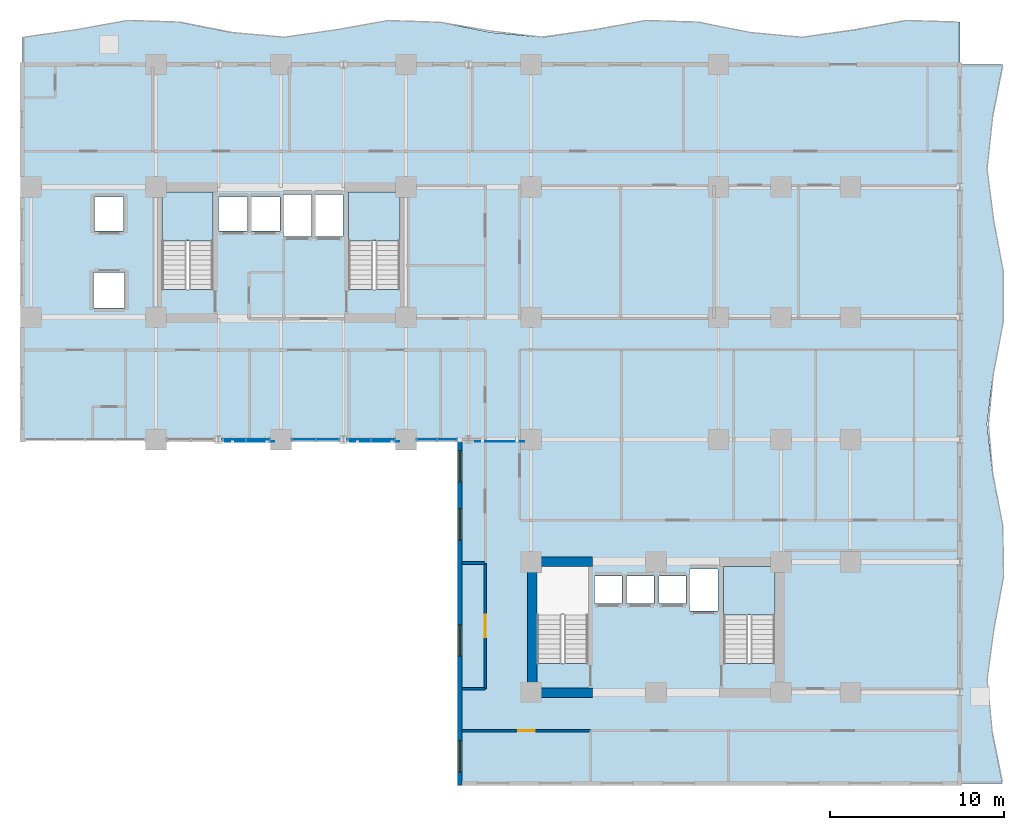
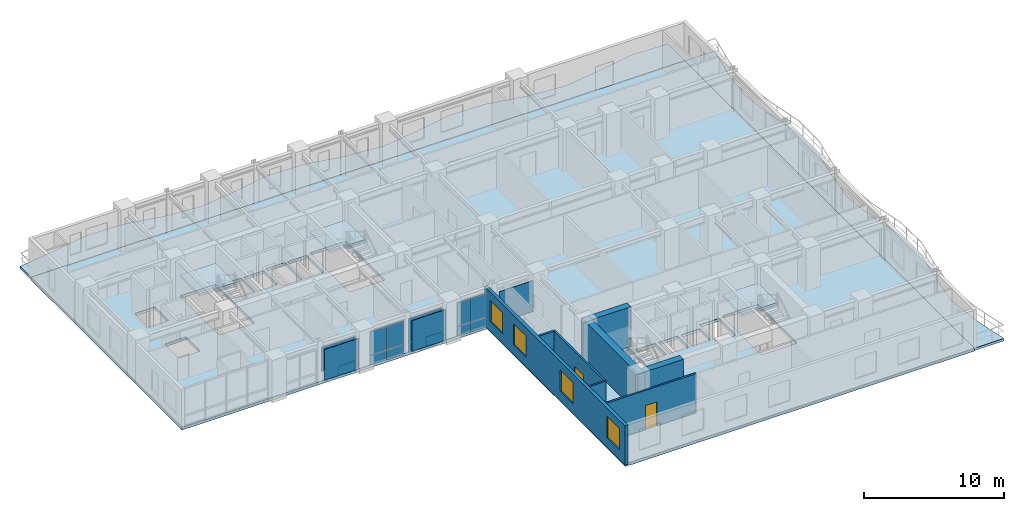
# One storey, part 7 of 16: 18 plates, 8 walls, 6 slabs, 4 windows, 2 doors, 6 openings, 7 elements without a shape of their own.
"""IFC4 building model written with IfcOpenShell, lengths in metres."""

from ifc_helpers import new_model, si_unit, direction, frame, frame_2d, origin, origin_2d, place, context, subcontext, project, spatial, polyline, rectangle, outline, extrude, source, transform, mapped, material, layer, layer_set, type_object, element, fill, aggregate, save


model = new_model("IFC4")

# Units and contexts
model_context = context("Model", 3, precision=1e-05, world=origin(), true_north=direction((0.0, 1.0)))
body_context = subcontext(model_context, "Body", "Model", "MODEL_VIEW")
ifc_project = project(units=[si_unit("LENGTHUNIT", "METRE"), si_unit("AREAUNIT", "SQUARE_METRE"), si_unit("VOLUMEUNIT", "CUBIC_METRE"), si_unit("PLANEANGLEUNIT", "RADIAN"), si_unit("MASSUNIT", "GRAM", prefix="KILO")], contexts=[model_context])

# Site, building, storey
site_placement = place(None, origin())
site = spatial("IfcSite", under=ifc_project, at=site_placement, CompositionType="ELEMENT")
building_placement = place(site_placement, origin())
building = spatial("IfcBuilding", under=site, at=building_placement, Name="Kaliganga Portal Commons", CompositionType="ELEMENT")
storey_placement = place(building_placement, frame((0.0, 0.0, 97.10009765625)))
storey = spatial("IfcBuildingStorey", under=building, at=storey_placement, Name="L24", CompositionType="ELEMENT", Elevation=97.10009765625)

# Slabs
ifc_material_1 = material(Name="Concrete C40/50", Category="concrete")
ifc_layer_1 = layer(ifc_material_1, 0.2099609375)
ifc_layer_set_1 = layer_set([ifc_layer_1], Name="Concrete C40/50")
slab_type_1 = type_object("IfcSlabType", Name="SLB-BALC-210", PredefinedType="FLOOR", material=ifc_layer_set_1)
slab_1_placement = place(storey_placement, frame((0.0, 0.0, -0.210205078125)))
element("IfcSlab", 1, at=slab_1_placement, inside=storey, type_object=slab_type_1, Name="Scalloped Tree-Planter Balcony Slab L24 balc_north", PredefinedType="FLOOR", context=body_context, shape_type="SweptSolid", body=[
    extrude(outline(polyline([(60.699951171875, 43.199951171875), (60.699951171875, 45.6484375), (57.699951171875, 45.74365234375), (54.699951171875, 45.201416015625), (51.699951171875, 44.77099609375), (48.699951171875, 45.04736328125), (45.699951171875, 45.6484375), (42.699951171875, 45.74365234375), (39.699951171875, 45.201416015625), (36.699951171875, 44.77099609375), (33.699951171875, 45.04736328125), (30.699951171875, 45.6484375), (27.699951171875, 45.74365234375), (24.699951171875, 45.201416015625), (21.699951171875, 44.77099609375), (18.699951171875, 45.04736328125), (15.699951171875, 45.6484375), (12.699951171875, 45.74365234375), (9.699951171875, 45.201416015625), (6.699951171875, 44.77099609375), (6.699951171875, 43.199951171875), (60.699951171875, 43.199951171875)])), origin(), (0.0, 0.0, 1.0), 0.210205078125),
])
slab_2_placement = place(storey_placement, frame((0.0, 0.0, -0.210205078125)))
element("IfcSlab", 2, at=slab_2_placement, inside=storey, type_object=slab_type_1, Name="Scalloped Tree-Planter Balcony Slab L24 balc_east", PredefinedType="FLOOR", context=body_context, shape_type="SweptSolid", body=[
    extrude(outline(polyline([(60.699951171875, 1.800048828125), (63.1484375, 1.800048828125), (62.5556640625, 4.757080078125), (62.2685546875, 7.71435546875), (62.674072265625, 10.67138671875), (63.2255859375, 13.628662109375), (63.1796875, 16.585693359375), (62.598388671875, 19.54296875), (62.264892578125, 22.5), (62.62890625, 25.45703125), (63.19970703125, 28.414306640625), (63.2080078125, 31.371337890625), (62.642333984375, 34.32861328125), (62.265625, 37.28564453125), (62.585205078125, 40.242919921875), (63.170654296875, 43.199951171875), (60.699951171875, 43.199951171875), (60.699951171875, 1.800048828125)])), origin(), (0.0, 0.0, 1.0), 0.210205078125),
])

# Stair, slab
stair_type = type_object("IfcStairType", Name="ST-CORE-DOGLEG", PredefinedType="HALF_TURN_STAIR", material=ifc_material_1)
stair_1_placement = place(storey_placement, origin())
stair_1 = element("IfcStair", 3, at=stair_1_placement, inside=storey, type_object=stair_type, Name="L24 Protected Exit Stair ST-A1", PredefinedType="HALF_TURN_STAIR")
ifc_layer_2 = layer(ifc_material_1, 0.199951171875)
ifc_layer_set_2 = layer_set([ifc_layer_2], Name="Concrete C40/50")
slab_type_2 = type_object("IfcSlabType", Name="SLB-STAIR-LND", PredefinedType="LANDING", material=ifc_layer_set_2)
slab_3_placement = place(storey_placement, frame((0.0, 0.0, 1.64990234375)))
slab_3 = element("IfcSlab", 4, at=slab_3_placement, type_object=slab_type_2, Name="ST-A1 landing 1", PredefinedType="LANDING", context=body_context, shape_type="SweptSolid", body=[
    extrude(outline(polyline([(17.699951171875, 33.050048828125), (17.699951171875, 35.85009765625), (14.75, 35.85009765625), (14.75, 33.050048828125), (17.699951171875, 33.050048828125)])), origin(), (0.0, 0.0, 1.0), 0.199951171875),
])
aggregate(stair_1, [slab_3])

stair_2_placement = place(storey_placement, origin())
stair_2 = element("IfcStair", 5, at=stair_2_placement, inside=storey, type_object=stair_type, Name="L24 Protected Exit Stair ST-A2", PredefinedType="HALF_TURN_STAIR")
slab_4_placement = place(storey_placement, frame((0.0, 0.0, 1.64990234375)))
slab_4 = element("IfcSlab", 6, at=slab_4_placement, type_object=slab_type_2, Name="ST-A2 landing 1", PredefinedType="LANDING", context=body_context, shape_type="SweptSolid", body=[
    extrude(outline(polyline([(28.449951171875, 33.050048828125), (28.449951171875, 35.85009765625), (25.5, 35.85009765625), (25.5, 33.050048828125), (28.449951171875, 33.050048828125)])), origin(), (0.0, 0.0, 1.0), 0.199951171875),
])
aggregate(stair_2, [slab_4])

stair_3_placement = place(storey_placement, origin())
stair_3 = element("IfcStair", 7, at=stair_3_placement, inside=storey, type_object=stair_type, Name="L24 Protected Exit Stair ST-B2", PredefinedType="HALF_TURN_STAIR")
slab_5_placement = place(storey_placement, frame((0.0, 0.0, 1.64990234375)))
slab_5 = element("IfcSlab", 8, at=slab_5_placement, type_object=slab_type_2, Name="ST-B2 landing 1", PredefinedType="LANDING", context=body_context, shape_type="SweptSolid", body=[
    extrude(outline(polyline([(50.050048828125, 11.5), (50.050048828125, 14.300048828125), (47.10009765625, 14.300048828125), (47.10009765625, 11.5), (50.050048828125, 11.5)])), origin(), (0.0, 0.0, 1.0), 0.199951171875),
])
aggregate(stair_3, [slab_5])

# Slab
ifc_layer_3 = layer(ifc_material_1, 0.25)
ifc_layer_set_3 = layer_set([ifc_layer_3], Name="Concrete C40/50")
slab_type_3 = type_object("IfcSlabType", Name="SLB-TWR-250", PredefinedType="FLOOR", material=ifc_layer_set_3)
slab_6_placement = place(storey_placement, frame((0.0, 0.0, -0.25)))
element("IfcSlab", 9, at=slab_6_placement, inside=storey, type_object=slab_type_3, Name="Structural Floor Slab L24", PredefinedType="FLOOR", context=body_context, shape_type="SweptSolid", body=[
    extrude(outline(polyline([(31.89990234375, 1.800048828125), (60.699951171875, 1.800048828125), (60.699951171875, 43.199951171875), (6.699951171875, 43.199951171875), (6.699951171875, 21.60009765625), (31.89990234375, 21.60009765625), (31.89990234375, 1.800048828125)]), holes=[polyline([(14.75, 30.25390625), (14.75, 35.85009765625), (17.699951171875, 35.85009765625), (17.699951171875, 30.25390625), (14.75, 30.25390625)]), polyline([(25.5, 30.25390625), (25.5, 35.85009765625), (28.449951171875, 35.85009765625), (28.449951171875, 30.25390625), (25.5, 30.25390625)]), polyline([(36.35009765625, 8.7041015625), (36.35009765625, 14.300048828125), (39.300048828125, 14.300048828125), (39.300048828125, 8.7041015625), (36.35009765625, 8.7041015625)]), polyline([(47.10009765625, 8.7041015625), (47.10009765625, 14.300048828125), (50.050048828125, 14.300048828125), (50.050048828125, 8.7041015625), (47.10009765625, 8.7041015625)]), polyline([(18.014892578125, 33.614990234375), (18.014892578125, 35.5849609375), (19.68505859375, 35.5849609375), (19.68505859375, 33.614990234375), (18.014892578125, 33.614990234375)]), polyline([(19.864990234375, 33.614990234375), (19.864990234375, 35.5849609375), (21.534912109375, 35.5849609375), (21.534912109375, 33.614990234375), (19.864990234375, 33.614990234375)]), polyline([(10.81494140625, 29.18994140625), (10.81494140625, 31.2099609375), (12.5849609375, 31.2099609375), (12.5849609375, 29.18994140625), (10.81494140625, 29.18994140625)]), polyline([(10.864990234375, 33.614990234375), (10.864990234375, 35.5849609375), (12.534912109375, 35.5849609375), (12.534912109375, 33.614990234375), (10.864990234375, 33.614990234375)]), polyline([(21.739990234375, 33.2900390625), (21.739990234375, 35.7099609375), (23.360107421875, 35.7099609375), (23.360107421875, 33.2900390625), (21.739990234375, 33.2900390625)]), polyline([(23.5400390625, 33.2900390625), (23.5400390625, 35.7099609375), (25.159912109375, 35.7099609375), (25.159912109375, 33.2900390625), (23.5400390625, 33.2900390625)]), polyline([(39.6650390625, 12.1650390625), (39.6650390625, 13.735107421875), (41.235107421875, 13.735107421875), (41.235107421875, 12.1650390625), (39.6650390625, 12.1650390625)]), polyline([(41.514892578125, 12.1650390625), (41.514892578125, 13.735107421875), (43.0849609375, 13.735107421875), (43.0849609375, 12.1650390625), (41.514892578125, 12.1650390625)]), polyline([(43.364990234375, 12.1650390625), (43.364990234375, 13.735107421875), (44.93505859375, 13.735107421875), (44.93505859375, 12.1650390625), (43.364990234375, 12.1650390625)]), polyline([(45.139892578125, 11.739990234375), (45.139892578125, 14.159912109375), (46.760009765625, 14.159912109375), (46.760009765625, 11.739990234375), (45.139892578125, 11.739990234375)])]), origin(), (0.0, 0.0, 1.0), 0.25),
])

# Plates
ifc_material_2 = material(Name="Perforated Terracotta Monsoon Baguette Screen", Category="masonry")
ifc_layer_4 = layer(ifc_material_2, 0.034912109375)
ifc_layer_set_4 = layer_set([ifc_layer_4], Name="Perforated Terracotta Monsoon Baguette Screen")
plate_type_1 = type_object("IfcPlateType", Name="PLT-CER-35", PredefinedType="USERDEFINED", material=ifc_layer_set_4)
shared_shape_1 = source(origin(), body_context, "Body", "SweptSolid", [
    extrude(rectangle(XDim=2.800048828125, YDim=0.034912109375, at=origin_2d()), origin(), (0.0, 0.0, 1.0), 2.68994140625),
])
for number, where, z_axis, x_axis, name in (
    (10, (19.800048828125, 21.47998046875, 0.079833984375), (0.0, 0.0, 1.0), (1.0, 0.0, 0.0), "Perforated Solar Screen L24-S1"),
    (11, (27.0, 21.47998046875, 0.079833984375), (0.0, 0.0, 1.0), (1.0, 0.0, 0.0), "Perforated Solar Screen L24-S2"),
    (12, (34.199951171875, 21.47998046875, 0.079833984375), (0.0, 0.0, 1.0), (1.0, 0.0, 0.0), "Perforated Solar Screen L24-S3"),
):
    element("IfcPlate", number, at=place(storey_placement, frame(where, z_axis=z_axis, x_axis=x_axis)), inside=storey, type_object=plate_type_1, Name=name, ObjectType="SOLAR SCREEN", PredefinedType="USERDEFINED", context=body_context, shape_type="MappedRepresentation", body=[
        mapped(shared_shape_1, transform((0.0, 0.0, 0.0), x_axis=(1.0, 0.0, 0.0), y_axis=(0.0, 1.0, 0.0), z_axis=(0.0, 0.0, 1.0), scale=1.0)),
    ])

# Curtain wall, plate
ifc_material_3 = material(Name="Anodized Aluminium and Laminated Low-E Glass", Category="aluminium")
ifc_layer_5 = layer(ifc_material_3, 0.2099609375)
ifc_layer_set_5 = layer_set([ifc_layer_5], Name="Anodized Aluminium and Laminated Low-E Glass")
curtain_wall_type = type_object("IfcCurtainWallType", Name="CW-SYS-03", PredefinedType="NOTDEFINED", material=ifc_layer_set_5)
curtain_wall_1_placement = place(storey_placement, origin())
curtain_wall_1 = element("IfcCurtainWall", 13, at=curtain_wall_1_placement, inside=storey, type_object=curtain_wall_type, Name="CW 03 L24 P1E04S3", PredefinedType="NOTDEFINED")
ifc_material_4 = material(Name="Insulated Dark Spandrel Panel", Category="metal")
ifc_layer_6 = layer(ifc_material_4, 0.044921875)
ifc_layer_set_6 = layer_set([ifc_layer_6], Name="Insulated Dark Spandrel Panel")
plate_type_2 = type_object("IfcPlateType", Name="PLT-SPN-45", PredefinedType="SHEET", material=ifc_layer_set_6)
shared_shape_2 = source(origin(), body_context, "Body", "SweptSolid", [
    extrude(rectangle(XDim=1.356689453125, YDim=0.044921875, at=origin_2d()), origin(), (0.0, 0.0, 1.0), 0.820068359375),
])
plate_1_placement = place(storey_placement, frame((20.300537109375, 21.60009765625, 0.009765625), z_axis=(0.0, 0.0, 1.0), x_axis=(1.0, 0.0, 0.0)))
plate_1 = element("IfcPlate", 14, at=plate_1_placement, type_object=plate_type_2, Name="CW:03:L24:P1E04S3 Spandrel 01", PredefinedType="SHEET", context=body_context, shape_type="MappedRepresentation", body=[
    mapped(shared_shape_2, transform((0.0, 0.0, 0.0), x_axis=(1.0, 0.0, 0.0), y_axis=(0.0, 1.0, 0.0), z_axis=(0.0, 0.0, 1.0), scale=1.0)),
])

# Curtain wall, plates
curtain_wall_2_placement = place(storey_placement, origin())
curtain_wall_2 = element("IfcCurtainWall", 15, at=curtain_wall_2_placement, inside=storey, type_object=curtain_wall_type, Name="CW 03 L24 P1E04S4", PredefinedType="NOTDEFINED")
plate_2_placement = place(storey_placement, frame((22.8994140625, 21.60009765625, 0.009765625), z_axis=(0.0, 0.0, 1.0), x_axis=(1.0, 0.0, 0.0)))
plate_2 = element("IfcPlate", 16, at=plate_2_placement, type_object=plate_type_2, Name="CW:03:L24:P1E04S4 Spandrel 00", PredefinedType="SHEET", context=body_context, shape_type="MappedRepresentation", body=[
    mapped(shared_shape_2, transform((0.0, 0.0, 0.0), x_axis=(1.0, 0.0, 0.0), y_axis=(0.0, 1.0, 0.0), z_axis=(0.0, 0.0, 1.0), scale=1.0)),
])
plate_3_placement = place(storey_placement, frame((24.296142578125, 21.60009765625, 0.009765625), z_axis=(0.0, 0.0, 1.0), x_axis=(1.0, 0.0, 0.0)))
plate_3 = element("IfcPlate", 17, at=plate_3_placement, type_object=plate_type_2, Name="CW:03:L24:P1E04S4 Spandrel 01", PredefinedType="SHEET", context=body_context, shape_type="MappedRepresentation", body=[
    mapped(shared_shape_2, transform((0.0, 0.0, 0.0), x_axis=(1.0, 0.0, 0.0), y_axis=(0.0, 1.0, 0.0), z_axis=(0.0, 0.0, 1.0), scale=1.0)),
])

curtain_wall_3_placement = place(storey_placement, origin())
curtain_wall_3 = element("IfcCurtainWall", 18, at=curtain_wall_3_placement, inside=storey, type_object=curtain_wall_type, Name="CW 03 L24 P1E04S5", PredefinedType="NOTDEFINED")
plate_4_placement = place(storey_placement, frame((26.10400390625, 21.60009765625, 0.009765625), z_axis=(0.0, 0.0, 1.0), x_axis=(1.0, 0.0, 0.0)))
plate_4 = element("IfcPlate", 19, at=plate_4_placement, type_object=plate_type_2, Name="CW:03:L24:P1E04S5 Spandrel 00", PredefinedType="SHEET", context=body_context, shape_type="MappedRepresentation", body=[
    mapped(shared_shape_2, transform((0.0, 0.0, 0.0), x_axis=(1.0, 0.0, 0.0), y_axis=(0.0, 1.0, 0.0), z_axis=(0.0, 0.0, 1.0), scale=1.0)),
])
plate_5_placement = place(storey_placement, frame((27.50048828125, 21.60009765625, 0.009765625), z_axis=(0.0, 0.0, 1.0), x_axis=(1.0, 0.0, 0.0)))
plate_5 = element("IfcPlate", 20, at=plate_5_placement, type_object=plate_type_2, Name="CW:03:L24:P1E04S5 Spandrel 01", PredefinedType="SHEET", context=body_context, shape_type="MappedRepresentation", body=[
    mapped(shared_shape_2, transform((0.0, 0.0, 0.0), x_axis=(1.0, 0.0, 0.0), y_axis=(0.0, 1.0, 0.0), z_axis=(0.0, 0.0, 1.0), scale=1.0)),
])

# Plate
ifc_material_5 = material(Name="Dark Solar-Control Laminated Low-E IGU", Category="glass")
ifc_layer_7 = layer(ifc_material_5, 0.028076171875)
ifc_layer_set_7 = layer_set([ifc_layer_7], Name="Dark Solar-Control Laminated Low-E IGU")
plate_type_3 = type_object("IfcPlateType", Name="PLT-GLZ-28", PredefinedType="CURTAIN_PANEL", material=ifc_layer_set_7)
shared_shape_3 = source(origin(), body_context, "Body", "SweptSolid", [
    extrude(rectangle(XDim=1.356689453125, YDim=0.028076171875, at=origin_2d()), origin(), (0.0, 0.0, 1.0), 2.06005859375),
])
plate_6_placement = place(storey_placement, frame((18.90380859375, 21.60009765625, 0.849853515625), z_axis=(0.0, 0.0, 1.0), x_axis=(1.0, 0.0, 0.0)))
plate_6 = element("IfcPlate", 21, at=plate_6_placement, type_object=plate_type_3, Name="CW:03:L24:P1E04S3 Vision IGU 00", PredefinedType="CURTAIN_PANEL", context=body_context, shape_type="MappedRepresentation", body=[
    mapped(shared_shape_3, transform((0.0, 0.0, 0.0), x_axis=(1.0, 0.0, 0.0), y_axis=(0.0, 1.0, 0.0), z_axis=(0.0, 0.0, 1.0), scale=1.0)),
])

plate_7_placement = place(storey_placement, frame((20.300537109375, 21.60009765625, 0.849853515625), z_axis=(0.0, 0.0, 1.0), x_axis=(1.0, 0.0, 0.0)))
plate_7 = element("IfcPlate", 22, at=plate_7_placement, type_object=plate_type_3, Name="CW:03:L24:P1E04S3 Vision IGU 01", PredefinedType="CURTAIN_PANEL", context=body_context, shape_type="MappedRepresentation", body=[
    mapped(shared_shape_3, transform((0.0, 0.0, 0.0), x_axis=(1.0, 0.0, 0.0), y_axis=(0.0, 1.0, 0.0), z_axis=(0.0, 0.0, 1.0), scale=1.0)),
])

aggregate(curtain_wall_1, [plate_6, plate_1, plate_7])

plate_8_placement = place(storey_placement, frame((22.8994140625, 21.60009765625, 0.849853515625), z_axis=(0.0, 0.0, 1.0), x_axis=(1.0, 0.0, 0.0)))
plate_8 = element("IfcPlate", 23, at=plate_8_placement, type_object=plate_type_3, Name="CW:03:L24:P1E04S4 Vision IGU 00", PredefinedType="CURTAIN_PANEL", context=body_context, shape_type="MappedRepresentation", body=[
    mapped(shared_shape_3, transform((0.0, 0.0, 0.0), x_axis=(1.0, 0.0, 0.0), y_axis=(0.0, 1.0, 0.0), z_axis=(0.0, 0.0, 1.0), scale=1.0)),
])

plate_9_placement = place(storey_placement, frame((24.296142578125, 21.60009765625, 0.849853515625), z_axis=(0.0, 0.0, 1.0), x_axis=(1.0, 0.0, 0.0)))
plate_9 = element("IfcPlate", 24, at=plate_9_placement, type_object=plate_type_3, Name="CW:03:L24:P1E04S4 Vision IGU 01", PredefinedType="CURTAIN_PANEL", context=body_context, shape_type="MappedRepresentation", body=[
    mapped(shared_shape_3, transform((0.0, 0.0, 0.0), x_axis=(1.0, 0.0, 0.0), y_axis=(0.0, 1.0, 0.0), z_axis=(0.0, 0.0, 1.0), scale=1.0)),
])

aggregate(curtain_wall_2, [plate_2, plate_8, plate_3, plate_9])

plate_10_placement = place(storey_placement, frame((26.10400390625, 21.60009765625, 0.849853515625), z_axis=(0.0, 0.0, 1.0), x_axis=(1.0, 0.0, 0.0)))
plate_10 = element("IfcPlate", 25, at=plate_10_placement, type_object=plate_type_3, Name="CW:03:L24:P1E04S5 Vision IGU 00", PredefinedType="CURTAIN_PANEL", context=body_context, shape_type="MappedRepresentation", body=[
    mapped(shared_shape_3, transform((0.0, 0.0, 0.0), x_axis=(1.0, 0.0, 0.0), y_axis=(0.0, 1.0, 0.0), z_axis=(0.0, 0.0, 1.0), scale=1.0)),
])

plate_11_placement = place(storey_placement, frame((27.50048828125, 21.60009765625, 0.849853515625), z_axis=(0.0, 0.0, 1.0), x_axis=(1.0, 0.0, 0.0)))
plate_11 = element("IfcPlate", 26, at=plate_11_placement, type_object=plate_type_3, Name="CW:03:L24:P1E04S5 Vision IGU 01", PredefinedType="CURTAIN_PANEL", context=body_context, shape_type="MappedRepresentation", body=[
    mapped(shared_shape_3, transform((0.0, 0.0, 0.0), x_axis=(1.0, 0.0, 0.0), y_axis=(0.0, 1.0, 0.0), z_axis=(0.0, 0.0, 1.0), scale=1.0)),
])

aggregate(curtain_wall_3, [plate_4, plate_10, plate_5, plate_11])

# Curtain wall, plates
curtain_wall_4_placement = place(storey_placement, origin())
curtain_wall_4 = element("IfcCurtainWall", 27, at=curtain_wall_4_placement, inside=storey, type_object=curtain_wall_type, Name="CW 03 L24 P1E04S6", PredefinedType="NOTDEFINED")
shared_shape_4 = source(origin(), body_context, "Body", "SweptSolid", [
    extrude(rectangle(XDim=1.139404296875, YDim=0.044921875, at=origin_2d()), origin(), (0.0, 0.0, 1.0), 0.820068359375),
])
plate_12_placement = place(storey_placement, frame((29.99072265625, 21.60009765625, 0.009765625), z_axis=(0.0, 0.0, 1.0), x_axis=(1.0, 0.0, 0.0)))
plate_12 = element("IfcPlate", 28, at=plate_12_placement, type_object=plate_type_2, Name="CW:03:L24:P1E04S6 Spandrel 00", PredefinedType="SHEET", context=body_context, shape_type="MappedRepresentation", body=[
    mapped(shared_shape_4, transform((0.0, 0.0, 0.0), x_axis=(1.0, 0.0, 0.0), y_axis=(0.0, 1.0, 0.0), z_axis=(0.0, 0.0, 1.0), scale=1.0)),
])
plate_13_placement = place(storey_placement, frame((31.17041015625, 21.60009765625, 0.009765625), z_axis=(0.0, 0.0, 1.0), x_axis=(1.0, 0.0, 0.0)))
plate_13 = element("IfcPlate", 29, at=plate_13_placement, type_object=plate_type_2, Name="CW:03:L24:P1E04S6 Spandrel 01", PredefinedType="SHEET", context=body_context, shape_type="MappedRepresentation", body=[
    mapped(shared_shape_4, transform((0.0, 0.0, 0.0), x_axis=(1.0, 0.0, 0.0), y_axis=(0.0, 1.0, 0.0), z_axis=(0.0, 0.0, 1.0), scale=1.0)),
])
shared_shape_5 = source(origin(), body_context, "Body", "SweptSolid", [
    extrude(rectangle(XDim=1.139404296875, YDim=0.028076171875, at=origin_2d()), origin(), (0.0, 0.0, 1.0), 2.06005859375),
])
plate_14_placement = place(storey_placement, frame((29.99072265625, 21.60009765625, 0.849853515625), z_axis=(0.0, 0.0, 1.0), x_axis=(1.0, 0.0, 0.0)))
plate_14 = element("IfcPlate", 30, at=plate_14_placement, type_object=plate_type_3, Name="CW:03:L24:P1E04S6 Vision IGU 00", PredefinedType="CURTAIN_PANEL", context=body_context, shape_type="MappedRepresentation", body=[
    mapped(shared_shape_5, transform((0.0, 0.0, 0.0), x_axis=(1.0, 0.0, 0.0), y_axis=(0.0, 1.0, 0.0), z_axis=(0.0, 0.0, 1.0), scale=1.0)),
])
plate_15_placement = place(storey_placement, frame((31.17041015625, 21.60009765625, 0.849853515625), z_axis=(0.0, 0.0, 1.0), x_axis=(1.0, 0.0, 0.0)))
plate_15 = element("IfcPlate", 31, at=plate_15_placement, type_object=plate_type_3, Name="CW:03:L24:P1E04S6 Vision IGU 01", PredefinedType="CURTAIN_PANEL", context=body_context, shape_type="MappedRepresentation", body=[
    mapped(shared_shape_5, transform((0.0, 0.0, 0.0), x_axis=(1.0, 0.0, 0.0), y_axis=(0.0, 1.0, 0.0), z_axis=(0.0, 0.0, 1.0), scale=1.0)),
])
aggregate(curtain_wall_4, [plate_12, plate_14, plate_13, plate_15])

# Walls
ifc_material_6 = material(Name="Concrete C60/75", Category="concrete")
ifc_layer_8 = layer(ifc_material_6, 0.550048828125)
ifc_layer_set_8 = layer_set([ifc_layer_8], Name="Concrete C60/75")
wall_type_1 = type_object("IfcWallType", Name="WL-CORE-550", PredefinedType="SHEAR", material=ifc_layer_set_8)
wall_1_placement = place(storey_placement, frame((36.074951171875, 6.75, 0.0), z_axis=(0.0, 0.0, 1.0), x_axis=(0.0, 1.0, 0.0)))
element("IfcWall", 32, at=wall_1_placement, inside=storey, type_object=wall_type_1, Name="Core B West Shear Wall L24", PredefinedType="SHEAR", context=body_context, shape_type="SweptSolid", body=[
    extrude(rectangle(XDim=8.10009765625, YDim=0.550048828125, at=frame_2d((4.050048828125, 0.0))), origin(), (0.0, 0.0, 1.0), 3.449951171875),
])
for number, where, z_axis, x_axis, name in (
    (33, (36.35009765625, 7.02490234375, 0.0), (0.0, 0.0, 1.0), (1.0, 0.0, 0.0), "Core B S-West Shear Wall L24"),
    (34, (36.35009765625, 14.574951171875, 0.0), (0.0, 0.0, 1.0), (1.0, 0.0, 0.0), "Core B N-West Shear Wall L24"),
):
    element("IfcWall", number, at=place(storey_placement, frame(where, z_axis=z_axis, x_axis=x_axis)), inside=storey, type_object=wall_type_1, Name=name, PredefinedType="SHEAR", context=body_context, shape_type="SweptSolid", body=[
        extrude(rectangle(XDim=3.199951171875, YDim=0.550048828125, at=frame_2d((1.60009765625, 0.0))), origin(), (0.0, 0.0, 1.0), 3.449951171875),
    ])

# Wall, openings, windows
ifc_material_7 = material(Name="Insulated Aluminium-Clad Spandrel Assembly", Category="aluminium")
ifc_layer_9 = layer(ifc_material_7, 0.260009765625)
ifc_layer_set_9 = layer_set([ifc_layer_9], Name="Insulated Aluminium-Clad Spandrel Assembly")
wall_type_2 = type_object("IfcWallType", Name="WL-EXT-SPAND-260", PredefinedType="STANDARD", material=ifc_layer_set_9)
wall_2_placement = place(storey_placement, frame((31.89990234375, 1.669921875, 0.0), z_axis=(0.0, 0.0, 1.0), x_axis=(0.0, 1.0, 0.0)))
wall_2 = element("IfcWall", 35, at=wall_2_placement, inside=storey, type_object=wall_type_2, Name="Exterior Envelope Wall L24 P1-E05-S1", PredefinedType="STANDARD", context=body_context, shape_type="SweptSolid", body=[
    extrude(rectangle(XDim=20.06005859375, YDim=0.260009765625, at=frame_2d((10.030029296875, 0.0))), origin(), (0.0, 0.0, 1.0), 3.429931640625),
])
opening_1_placement = place(wall_2_placement, frame((0.771728515625, 0.0, 0.85009765625)))
opening_1 = element("IfcOpeningElement", 36, at=opening_1_placement, cuts=wall_2, Name="Opening W-01", PredefinedType="OPENING", context=body_context, shape_type="SweptSolid", body=[
    extrude(rectangle(XDim=1.800048828125, YDim=1.85009765625, at=frame_2d((0.89990234375, 0.925048828125))), frame((0.0, 0.14013671875, 0.0), z_axis=(0.0, -1.0, 0.0), x_axis=(1.0, 0.0, 0.0)), (0.0, 0.0, 1.0), 0.280029296875),
])
opening_2_placement = place(wall_2_placement, frame((7.458251953125, 0.0, 0.85009765625)))
opening_2 = element("IfcOpeningElement", 37, at=opening_2_placement, cuts=wall_2, Name="Opening W-01", PredefinedType="OPENING", context=body_context, shape_type="SweptSolid", body=[
    extrude(rectangle(XDim=1.800048828125, YDim=1.85009765625, at=frame_2d((0.89990234375, 0.925048828125))), frame((0.0, 0.14013671875, 0.0), z_axis=(0.0, -1.0, 0.0), x_axis=(1.0, 0.0, 0.0)), (0.0, 0.0, 1.0), 0.280029296875),
])
opening_3_placement = place(wall_2_placement, frame((14.14501953125, 0.0, 0.85009765625)))
opening_3 = element("IfcOpeningElement", 38, at=opening_3_placement, cuts=wall_2, Name="Opening W-01", PredefinedType="OPENING", context=body_context, shape_type="SweptSolid", body=[
    extrude(rectangle(XDim=1.800048828125, YDim=1.85009765625, at=frame_2d((0.89990234375, 0.925048828125))), frame((0.0, 0.14013671875, 0.0), z_axis=(0.0, -1.0, 0.0), x_axis=(1.0, 0.0, 0.0)), (0.0, 0.0, 1.0), 0.280029296875),
])
opening_4_placement = place(wall_2_placement, frame((17.48828125, 0.0, 0.85009765625)))
opening_4 = element("IfcOpeningElement", 39, at=opening_4_placement, cuts=wall_2, Name="Opening W-01", PredefinedType="OPENING", context=body_context, shape_type="SweptSolid", body=[
    extrude(rectangle(XDim=1.800048828125, YDim=1.85009765625, at=frame_2d((0.89990234375, 0.925048828125))), frame((0.0, 0.14013671875, 0.0), z_axis=(0.0, -1.0, 0.0), x_axis=(1.0, 0.0, 0.0)), (0.0, 0.0, 1.0), 0.280029296875),
])
ifc_material_8 = material(Name="Thermally Broken Aluminium and Low-E Double Glazing", Category="aluminium")
window_type = type_object("IfcWindowType", Name="WIN-STD-1800", PartitioningType="DOUBLE_PANEL_VERTICAL", PredefinedType="WINDOW", material=ifc_material_8)
window_1_placement = place(opening_1_placement, origin())
window_1 = element("IfcWindow", 40, at=window_1_placement, inside=storey, type_object=window_type, Name="Facade Window L24-P1E05S1-00", OverallHeight=1.85009765625, OverallWidth=1.800048828125, PartitioningType="SINGLE_PANEL", PredefinedType="WINDOW", context=body_context, shape_type="SweptSolid", body=[
    extrude(rectangle(XDim=1.800048828125, YDim=1.85009765625, at=frame_2d((0.89990234375, 0.925048828125))), frame((0.0, 0.030029296875, 0.0), z_axis=(0.0, -1.0, 0.0), x_axis=(1.0, 0.0, 0.0)), (0.0, 0.0, 1.0), 0.06005859375),
])
fill(opening_1, window_1)
window_2_placement = place(opening_2_placement, origin())
window_2 = element("IfcWindow", 41, at=window_2_placement, inside=storey, type_object=window_type, Name="Facade Window L24-P1E05S1-02", OverallHeight=1.85009765625, OverallWidth=1.800048828125, PartitioningType="SINGLE_PANEL", PredefinedType="WINDOW", context=body_context, shape_type="SweptSolid", body=[
    extrude(rectangle(XDim=1.800048828125, YDim=1.85009765625, at=frame_2d((0.89990234375, 0.925048828125))), frame((0.0, 0.030029296875, 0.0), z_axis=(0.0, -1.0, 0.0), x_axis=(1.0, 0.0, 0.0)), (0.0, 0.0, 1.0), 0.06005859375),
])
fill(opening_2, window_2)
window_3_placement = place(opening_3_placement, origin())
window_3 = element("IfcWindow", 42, at=window_3_placement, inside=storey, type_object=window_type, Name="Facade Window L24-P1E05S1-04", OverallHeight=1.85009765625, OverallWidth=1.800048828125, PartitioningType="SINGLE_PANEL", PredefinedType="WINDOW", context=body_context, shape_type="SweptSolid", body=[
    extrude(rectangle(XDim=1.800048828125, YDim=1.85009765625, at=frame_2d((0.89990234375, 0.925048828125))), frame((0.0, 0.030029296875, 0.0), z_axis=(0.0, -1.0, 0.0), x_axis=(1.0, 0.0, 0.0)), (0.0, 0.0, 1.0), 0.06005859375),
])
fill(opening_3, window_3)
window_4_placement = place(opening_4_placement, origin())
window_4 = element("IfcWindow", 43, at=window_4_placement, inside=storey, type_object=window_type, Name="Facade Window L24-P1E05S1-05", OverallHeight=1.85009765625, OverallWidth=1.800048828125, PartitioningType="SINGLE_PANEL", PredefinedType="WINDOW", context=body_context, shape_type="SweptSolid", body=[
    extrude(rectangle(XDim=1.800048828125, YDim=1.85009765625, at=frame_2d((0.89990234375, 0.925048828125))), frame((0.0, 0.030029296875, 0.0), z_axis=(0.0, -1.0, 0.0), x_axis=(1.0, 0.0, 0.0)), (0.0, 0.0, 1.0), 0.06005859375),
])
fill(opening_4, window_4)

# Wall, opening, door
ifc_material_9 = material(Name="Fire-Rated Gypsum Board on Steel Stud", Category="steel")
ifc_layer_10 = layer(ifc_material_9, 0.14990234375)
ifc_layer_set_10 = layer_set([ifc_layer_10], Name="Fire-Rated Gypsum Board on Steel Stud")
wall_type_3 = type_object("IfcWallType", Name="WL-PART-CORR-150", PredefinedType="PARTITIONING", material=ifc_layer_set_10)
wall_3_placement = place(storey_placement, frame((32.031982421875, 4.840087890625, 0.0), z_axis=(0.0, 0.0, 1.0), x_axis=(1.0, 0.0, 0.0)))
wall_3 = element("IfcWall", 44, at=wall_3_placement, inside=storey, type_object=wall_type_3, Name="Interior Partition L24-019", PredefinedType="PARTITIONING", context=body_context, shape_type="SweptSolid", body=[
    extrude(rectangle(XDim=7.407958984375, YDim=0.14990234375, at=frame_2d((3.7041015625, 0.0))), origin(), (0.0, 0.0, 1.0), 3.429931640625),
])
opening_5_placement = place(wall_3_placement, frame((3.22900390625, 0.0, 0.0)))
opening_5 = element("IfcOpeningElement", 45, at=opening_5_placement, cuts=wall_3, Name="Opening UD-01", PredefinedType="OPENING", context=body_context, shape_type="SweptSolid", body=[
    extrude(rectangle(XDim=0.949951171875, YDim=2.10009765625, at=frame_2d((0.47509765625, 1.050048828125))), frame((0.0, 0.0849609375, 0.0), z_axis=(0.0, -1.0, 0.0), x_axis=(1.0, 0.0, 0.0)), (0.0, 0.0, 1.0), 0.169921875),
])
ifc_material_10 = material(Name="Solid-Core Timber Acoustic Fire Door", Category="wood")
door_type_1 = type_object("IfcDoorType", Name="DR-UNIT-950", OperationType="NOTDEFINED", PredefinedType="DOOR", material=ifc_material_10)
door_1_placement = place(opening_5_placement, origin())
door_1 = element("IfcDoor", 46, at=door_1_placement, inside=storey, type_object=door_type_1, Name="Interior Door L24-BS01", OperationType="SINGLE_SWING_LEFT", OverallHeight=2.10009765625, OverallWidth=0.949951171875, PredefinedType="DOOR", context=body_context, shape_type="SweptSolid", body=[
    extrude(rectangle(XDim=0.949951171875, YDim=2.10009765625, at=frame_2d((0.47509765625, 1.050048828125))), frame((0.0, 0.02490234375, 0.0), z_axis=(0.0, -1.0, 0.0), x_axis=(1.0, 0.0, 0.0)), (0.0, 0.0, 1.0), 0.050048828125),
])
fill(opening_5, door_1)

wall_4_placement = place(storey_placement, frame((33.360107421875, 7.239990234375, 0.0), z_axis=(0.0, 0.0, 1.0), x_axis=(0.0, 1.0, 0.0)))
wall_4 = element("IfcWall", 47, at=wall_4_placement, inside=storey, type_object=wall_type_3, Name="Interior Partition L24-021", PredefinedType="PARTITIONING", context=body_context, shape_type="SweptSolid", body=[
    extrude(rectangle(XDim=7.260009765625, YDim=0.14990234375, at=frame_2d((3.6298828125, 0.0))), origin(), (0.0, 0.0, 1.0), 3.429931640625),
])
opening_6_placement = place(wall_4_placement, frame((2.97998046875, 0.0, 0.0)))
opening_6 = element("IfcOpeningElement", 48, at=opening_6_placement, cuts=wall_4, Name="Opening RD-03", PredefinedType="OPENING", context=body_context, shape_type="SweptSolid", body=[
    extrude(rectangle(XDim=1.300048828125, YDim=2.1201171875, at=frame_2d((0.64990234375, 1.06005859375))), frame((0.0, 0.0849609375, 0.0), z_axis=(0.0, -1.0, 0.0), x_axis=(1.0, 0.0, 0.0)), (0.0, 0.0, 1.0), 0.169921875),
])
ifc_material_11 = material(Name="Glazed Timber Seminar Vision Door", Category="wood")
door_type_2 = type_object("IfcDoorType", Name="DR-STUDY-1300", OperationType="DOUBLE_DOOR_SINGLE_SWING", PredefinedType="DOOR", material=ifc_material_11)
door_2_placement = place(opening_6_placement, origin())
door_2 = element("IfcDoor", 49, at=door_2_placement, inside=storey, type_object=door_type_2, Name="Interior Door L24-KW01", OperationType="DOUBLE_DOOR_SINGLE_SWING", OverallHeight=2.1201171875, OverallWidth=1.300048828125, PredefinedType="DOOR", context=body_context, shape_type="SweptSolid", body=[
    extrude(rectangle(XDim=1.300048828125, YDim=2.1201171875, at=frame_2d((0.64990234375, 1.06005859375))), frame((0.0, 0.02490234375, 0.0), z_axis=(0.0, -1.0, 0.0), x_axis=(1.0, 0.0, 0.0)), (0.0, 0.0, 1.0), 0.050048828125),
])
fill(opening_6, door_2)

# Walls
wall_5_placement = place(storey_placement, frame((32.031982421875, 7.239990234375, 0.0), z_axis=(0.0, 0.0, 1.0), x_axis=(1.0, 0.0, 0.0)))
element("IfcWall", 50, at=wall_5_placement, inside=storey, type_object=wall_type_3, Name="Interior Partition L24-047", PredefinedType="PARTITIONING", context=body_context, shape_type="SweptSolid", body=[
    extrude(rectangle(XDim=1.328125, YDim=0.14990234375, at=frame_2d((0.6640625, 0.0))), origin(), (0.0, 0.0, 1.0), 3.429931640625),
])
ifc_material_12 = material(Name="Twin-Stud Acoustic Gypsum Partition", Category="gypsum")
ifc_layer_11 = layer(ifc_material_12, 0.1650390625)
ifc_layer_set_11 = layer_set([ifc_layer_11], Name="Twin-Stud Acoustic Gypsum Partition")
wall_type_4 = type_object("IfcWallType", Name="WL-PART-UNIT-165", PredefinedType="PARTITIONING", material=ifc_layer_set_11)
wall_6_placement = place(storey_placement, frame((32.031982421875, 14.5, 0.0), z_axis=(0.0, 0.0, 1.0), x_axis=(1.0, 0.0, 0.0)))
element("IfcWall", 51, at=wall_6_placement, inside=storey, type_object=wall_type_4, Name="Interior Partition L24-080", PredefinedType="PARTITIONING", context=body_context, shape_type="SweptSolid", body=[
    extrude(rectangle(XDim=1.328125, YDim=0.1650390625, at=frame_2d((0.6640625, 0.0))), origin(), (0.0, 0.0, 1.0), 3.429931640625),
])

save(model, "model.ifc")
